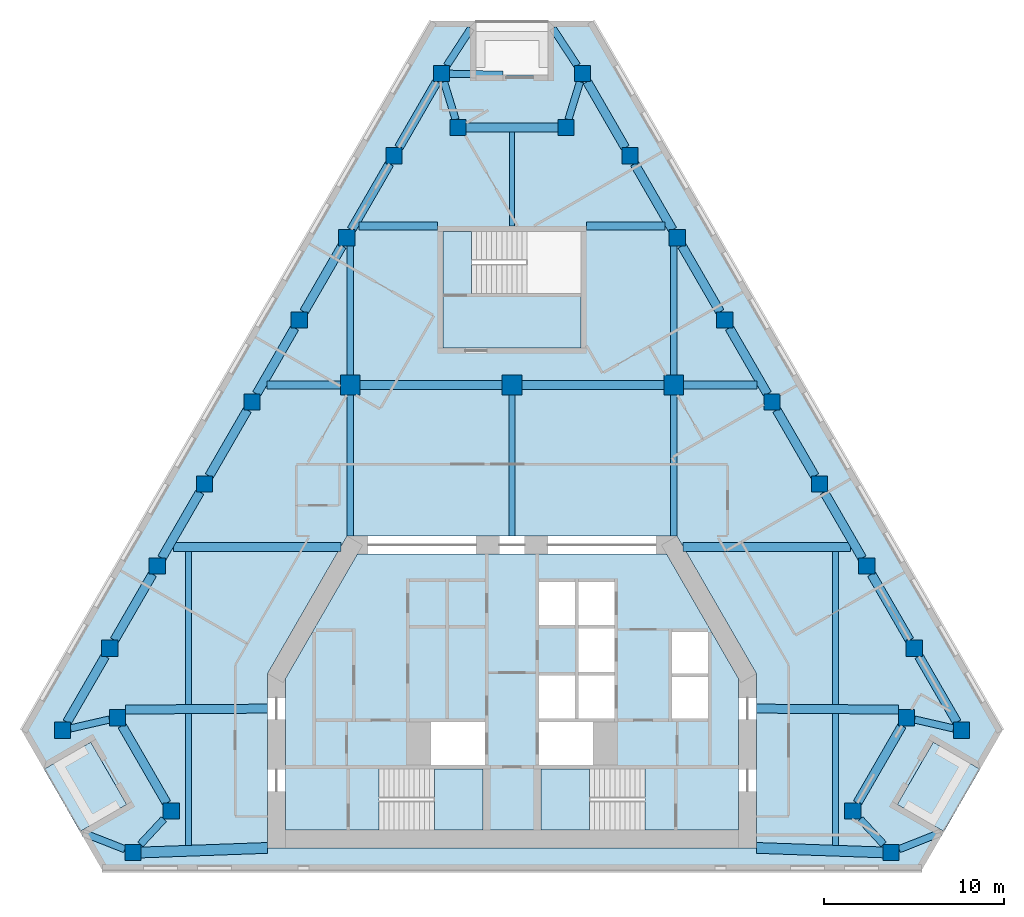
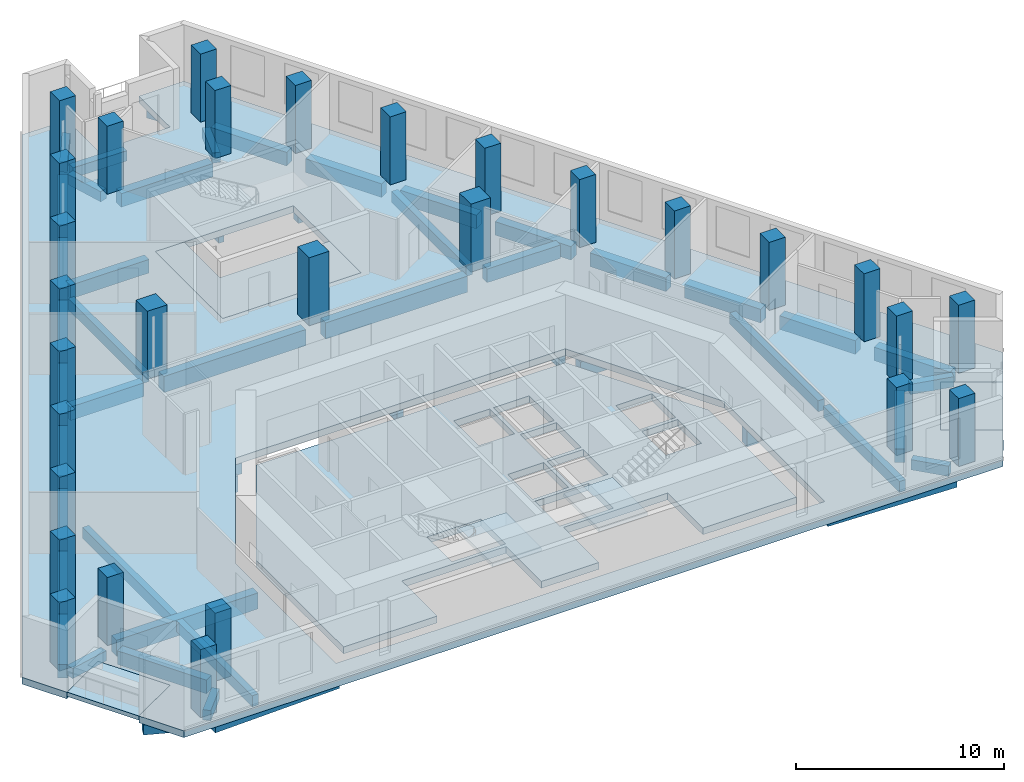
# One storey, part 1 of 9: 52 beams, 29 columns, 7 slabs, 2 elements without a shape of their own.
"""IFC4 building model written with IfcOpenShell, lengths in metres."""

import ifcopenshell
import ifcopenshell.guid

model = None  # the IFC model being written
_history = None  # IfcOwnerHistory: only IFC2X3 demands one
_inside = {}  # id of a spatial element -> (the spatial element, [elements in it])
_under = {}  # id of a project, library or spatial element -> (it, [spatial elements below it])
_declared = {}  # id of a project -> (the project, [libraries it declares])
_typed = {}  # id of a type object -> (the type object, [elements of that type])
_made_of = {}  # id of a material, layer set ... -> (it, [elements and type objects made of it])


def new_model(schema):
    """Start an empty IFC model of exactly this schema.

    Asked for "IFC4X3", IfcOpenShell would pick the latest addendum, in which some entities
    have other attributes; the version numbers below select the first issue.
    IFC2X3 requires an IfcOwnerHistory on every rooted entity: one is made here for all.
    """
    global model, _history
    if schema == "IFC4X3":
        model = ifcopenshell.file(schema_version=(4, 3, 0, 0))
    else:
        model = ifcopenshell.file(schema=schema)
    _inside.clear()
    _under.clear()
    _declared.clear()
    _typed.clear()
    _made_of.clear()
    _history = None
    if model.schema == "IFC2X3":
        org = make("IfcOrganization", Name="unknown")
        user = make(
            "IfcPersonAndOrganization",
            ThePerson=make("IfcPerson", FamilyName="unknown"),
            TheOrganization=org,
        )
        app = make(
            "IfcApplication",
            ApplicationDeveloper=org,
            Version="unknown",
            ApplicationFullName="unknown",
            ApplicationIdentifier="unknown",
        )
        _history = make(
            "IfcOwnerHistory",
            OwningUser=user,
            OwningApplication=app,
            ChangeAction="ADDED",
            CreationDate=0,
        )
    return model


def make(cls, **values):
    """One entity of the class cls with the attributes given. An attribute that is None is left unset."""
    return model.create_entity(
        cls, **{name: value for name, value in values.items() if value is not None}
    )


def rooted(cls, **values):
    """An entity with a GlobalId (a new one), such as an element, a storey or a relation."""
    return make(cls, GlobalId=ifcopenshell.guid.new(), OwnerHistory=_history, **values)


def si_unit(unit_type, name, prefix=None):
    """IfcSIUnit, for example si_unit("LENGTHUNIT", "METRE", prefix="MILLI")."""
    return make("IfcSIUnit", UnitType=unit_type, Prefix=prefix, Name=name)


def assignment(units):
    """IfcUnitAssignment: the units of a project."""
    return None if units is None else make("IfcUnitAssignment", Units=units)


def point(xyz):
    """IfcCartesianPoint."""
    return None if xyz is None else make("IfcCartesianPoint", Coordinates=xyz)


def direction(xyz):
    """IfcDirection."""
    return None if xyz is None else make("IfcDirection", DirectionRatios=xyz)


def frame(location, z_axis=None, x_axis=None):
    """IfcAxis2Placement3D, a coordinate frame: its origin and axes. An axis left out is left unset."""
    return make(
        "IfcAxis2Placement3D",
        Location=point(location),
        Axis=direction(z_axis),
        RefDirection=direction(x_axis),
    )


def frame_2d(location, x_axis=None):
    """IfcAxis2Placement2D, a coordinate frame in the plane: its origin and x axis."""
    return make(
        "IfcAxis2Placement2D", Location=point(location), RefDirection=direction(x_axis)
    )


def origin():
    """The frame at (0, 0, 0) with its axes left unset."""
    return frame((0.0, 0.0, 0.0))


def origin_2d():
    """The frame at (0, 0) in the plane with its x axis left unset."""
    return frame_2d((0.0, 0.0))


def place(relative_to, where):
    """IfcLocalPlacement: puts the frame where relative to a parent placement (None: the world)."""
    return make(
        "IfcLocalPlacement", PlacementRelTo=relative_to, RelativePlacement=where
    )


def context(
    kind, dimensions, precision=None, world=None, true_north=None, identifier=None
):
    """IfcGeometricRepresentationContext, for example the 3D "Model" context."""
    return make(
        "IfcGeometricRepresentationContext",
        ContextIdentifier=identifier,
        ContextType=kind,
        CoordinateSpaceDimension=dimensions,
        Precision=precision,
        WorldCoordinateSystem=world,
        TrueNorth=true_north,
    )


def subcontext(parent, identifier, kind, view, scale=None):
    """IfcGeometricRepresentationSubContext, for example "Body" below "Model"."""
    return make(
        "IfcGeometricRepresentationSubContext",
        ContextIdentifier=identifier,
        ContextType=kind,
        ParentContext=parent,
        TargetScale=scale,
        TargetView=view,
    )


def project(units=None, contexts=None):
    """IfcProject with its units and contexts."""
    return rooted(
        "IfcProject",
        Name="project",
        RepresentationContexts=contexts,
        UnitsInContext=assignment(units),
    )


def spatial(cls, under=None, at=None, **own):
    """A site, building, storey or space (cls), placed at a placement, below another one or the project."""
    s = rooted(cls, ObjectPlacement=at, **own)
    if under is not None:
        _under.setdefault(under.id(), (under, []))[1].append(s)
    return s


def polyline(points):
    """IfcPolyline through the points."""
    return make("IfcPolyline", Points=[point(p) for p in points])


def profile(cls, at=None, kind="AREA", **sizes):
    """A parametric profile (cls). Its sizes go by their IFC names, for example OverallWidth=200.0."""
    return make(cls, ProfileType=kind, Position=at, **sizes)


def rectangle(**sizes):
    """IfcRectangleProfileDef."""
    return profile("IfcRectangleProfileDef", **sizes)


def outline(outer, holes=None, kind="AREA"):
    """IfcArbitraryClosedProfileDef: a profile drawn as a closed curve; with holes, ...WithVoids."""
    if holes is None:
        return make("IfcArbitraryClosedProfileDef", ProfileType=kind, OuterCurve=outer)
    return make(
        "IfcArbitraryProfileDefWithVoids",
        ProfileType=kind,
        OuterCurve=outer,
        InnerCurves=holes,
    )


def extrude(swept, where, along, depth):
    """IfcExtrudedAreaSolid: the profile swept, set in the frame where, extruded along a direction by depth."""
    return make(
        "IfcExtrudedAreaSolid",
        SweptArea=swept,
        Position=where,
        ExtrudedDirection=direction(along),
        Depth=depth,
    )


def shape(context_of_items, identifier, shape_type, items):
    """IfcShapeRepresentation: the items that make up one representation, for example the "Body"."""
    return make(
        "IfcShapeRepresentation",
        ContextOfItems=context_of_items,
        RepresentationIdentifier=identifier,
        RepresentationType=shape_type,
        Items=items,
    )


def material(Name=None, Category=None):
    """IfcMaterial."""
    return make("IfcMaterial", Name=Name, Category=Category)


def layer(
    of_material, thickness, ventilated=None, Name=None, Category=None, Priority=None
):
    """IfcMaterialLayer: one layer of a wall or slab, of a material (None: an air gap)."""
    return make(
        "IfcMaterialLayer",
        Material=of_material,
        LayerThickness=thickness,
        IsVentilated=ventilated,
        Name=Name,
        Category=Category,
        Priority=Priority,
    )


def layer_set(layers, Name=None):
    """IfcMaterialLayerSet."""
    return make("IfcMaterialLayerSet", MaterialLayers=layers, LayerSetName=Name)


def material_profile(
    of_material, cross_section, Name=None, Category=None, Priority=None
):
    """IfcMaterialProfile: a cross section and its material."""
    return make(
        "IfcMaterialProfile",
        Name=Name,
        Material=of_material,
        Profile=cross_section,
        Priority=Priority,
        Category=Category,
    )


def profile_set(profiles, Name=None, composite=None):
    """IfcMaterialProfileSet."""
    return make(
        "IfcMaterialProfileSet",
        Name=Name,
        MaterialProfiles=profiles,
        CompositeProfile=composite,
    )


def made_of(thing, what):
    """Note that an element or type object is made of a material, layer set ...; save() writes the relation."""
    if what is not None:
        _made_of.setdefault(what.id(), (what, []))[1].append(thing)
    return thing


def type_object(cls, material=None, **own):
    """A type object (cls), such as IfcWallType, which elements share."""
    return made_of(rooted(cls, **own), material)


def element(
    cls,
    number,
    at=None,
    inside=None,
    cuts=None,
    type_object=None,
    material=None,
    context=None,
    identifier="Body",
    shape_type=None,
    held_by="IfcProductDefinitionShape",
    body=None,
    shapes=None,
    **own,
):
    """One element of the class cls, such as IfcWall. Its Tag is "e" and its number.

    at: its placement. inside: the storey or other place that contains it. cuts: it is an
    opening in that element (IfcRelVoidsElement). A single representation is given by context,
    identifier, shape_type and body (its items); several are given by shapes. held_by: the class
    of the entity that holds the representations. save() writes the other relations.
    """
    e = rooted(cls, Tag="e%d" % number, ObjectPlacement=at, **own)
    if body is not None:
        shapes = [shape(context, identifier, shape_type, body)]
    if shapes is not None:
        e.Representation = make(held_by, Representations=shapes)
    if inside is not None:
        _inside.setdefault(inside.id(), (inside, []))[1].append(e)
    if cuts is not None:
        rooted(
            "IfcRelVoidsElement", RelatingBuildingElement=cuts, RelatedOpeningElement=e
        )
    if type_object is not None:
        _typed.setdefault(type_object.id(), (type_object, []))[1].append(e)
    return made_of(e, material)


def aggregate(whole, parts):
    """IfcRelAggregates: a whole, such as a stair, and the parts it consists of."""
    return rooted("IfcRelAggregates", RelatingObject=whole, RelatedObjects=parts)


def save(model, path):
    """Write the relations noted so far, then the file.

    IfcRelAggregates (storeys below a building ...), IfcRelContainedInSpatialStructure (elements
    in a storey), IfcRelDefinesByType, IfcRelAssociatesMaterial and IfcRelDeclares: one each for
    every whole, place, type object, material and project.
    """
    for whole, parts in _under.values():
        aggregate(whole, parts)
    for where, things in _inside.values():
        rooted(
            "IfcRelContainedInSpatialStructure",
            RelatedElements=things,
            RelatingStructure=where,
        )
    for kind, things in _typed.values():
        rooted("IfcRelDefinesByType", RelatedObjects=things, RelatingType=kind)
    for what, things in _made_of.values():
        rooted("IfcRelAssociatesMaterial", RelatedObjects=things, RelatingMaterial=what)
    for by, libraries in _declared.values():
        rooted("IfcRelDeclares", RelatingContext=by, RelatedDefinitions=libraries)
    model.write(path)


model = new_model("IFC4")

# Units and contexts
model_context = context("Model", 3, precision=1e-05, world=origin(), true_north=direction((0.0, 1.0)))
body_context = subcontext(model_context, "Body", "Model", "MODEL_VIEW")
ifc_project = project(units=[si_unit("LENGTHUNIT", "METRE"), si_unit("AREAUNIT", "SQUARE_METRE"), si_unit("VOLUMEUNIT", "CUBIC_METRE"), si_unit("PLANEANGLEUNIT", "RADIAN"), si_unit("MASSUNIT", "GRAM", prefix="KILO")], contexts=[model_context])

# Site, building, storey
site_placement = place(None, origin())
site = spatial("IfcSite", under=ifc_project, at=site_placement, CompositionType="ELEMENT")
building_placement = place(site_placement, origin())
building = spatial("IfcBuilding", under=site, at=building_placement, Name="Fogline Exchange Tower", CompositionType="ELEMENT")
storey_placement = place(building_placement, frame((0.0, 0.0, 214.10009765625)))
storey = spatial("IfcBuildingStorey", under=building, at=storey_placement, Name="L48", CompositionType="ELEMENT", Elevation=214.10009765625)

# Columns
ifc_material_1 = material(Name="Concrete C60", Category="concrete")
ifc_material_profile_1 = material_profile(ifc_material_1, rectangle(XDim=1.10009765625, YDim=1.10009765625, at=origin_2d()), Name="RC 1100x1100")
ifc_profile_set_1 = profile_set([ifc_material_profile_1], Name="Concrete C60")
column_type_1 = type_object("IfcColumnType", Name="C05", PredefinedType="COLUMN", material=ifc_profile_set_1)
for number, where, z_axis, x_axis, name in (
    (1, (-9.0, 27.0, 0.0), (0.0, 0.0, 1.0), (1.0, 0.0, 0.0), "IC--9-27"),
    (2, (0.0, 27.0, 0.0), (0.0, 0.0, 1.0), (1.0, 0.0, 0.0), "IC-0-27"),
    (3, (9.0, 27.0, 0.0), (0.0, 0.0, 1.0), (1.0, 0.0, 0.0), "IC-9-27"),
):
    element("IfcColumn", number, at=place(storey_placement, frame(where, z_axis=z_axis, x_axis=x_axis)), inside=storey, type_object=column_type_1, Name=name, PredefinedType="COLUMN", context=body_context, shape_type="SweptSolid", body=[
        extrude(rectangle(XDim=1.10009765625, YDim=1.10009765625, at=origin_2d()), origin(), (0.0, 0.0, 1.0), 4.0),
    ])
ifc_material_profile_2 = material_profile(ifc_material_1, rectangle(XDim=0.89990234375, YDim=0.89990234375, at=origin_2d()), Name="RC 900x900")
ifc_profile_set_2 = profile_set([ifc_material_profile_2], Name="Concrete C60")
column_type_2 = type_object("IfcColumnType", Name="C06", PredefinedType="COLUMN", material=ifc_profile_set_2)
for number, where, z_axis, x_axis, name in (
    (4, (-25.0146484375, 7.794189453125, 0.0), (0.0, 0.0, 1.0), (1.0, 0.0, 0.0), "SW-a"),
    (5, (-21.955322265625, 8.4951171875, 0.0), (0.0, 0.0, 1.0), (1.0, 0.0, 0.0), "SW-p4"),
    (6, (-18.955322265625, 3.299072265625, 0.0), (0.0, 0.0, 1.0), (1.0, 0.0, 0.0), "SW-p3"),
    (7, (-21.092041015625, 1.0, 0.0), (0.0, 0.0, 1.0), (1.0, 0.0, 0.0), "SW-b"),
    (8, (21.092041015625, 1.0, 0.0), (0.0, 0.0, 1.0), (1.0, 0.0, 0.0), "SE-a"),
    (9, (18.955322265625, 3.299072265625, 0.0), (0.0, 0.0, 1.0), (1.0, 0.0, 0.0), "SE-p4"),
    (10, (21.955322265625, 8.4951171875, 0.0), (0.0, 0.0, 1.0), (1.0, 0.0, 0.0), "SE-p3"),
    (11, (25.0146484375, 7.794189453125, 0.0), (0.0, 0.0, 1.0), (1.0, 0.0, 0.0), "SE-b"),
    (12, (22.378173828125, 12.36083984375, 0.0), (0.0, 0.0, 1.0), (1.0, 0.0, 0.0), "E1"),
    (13, (19.74169921875, 16.92724609375, 0.0), (0.0, 0.0, 1.0), (1.0, 0.0, 0.0), "E2"),
    (14, (17.105224609375, 21.493896484375, 0.0), (0.0, 0.0, 1.0), (1.0, 0.0, 0.0), "E3"),
    (15, (14.46875, 26.060302734375, 0.0), (0.0, 0.0, 1.0), (1.0, 0.0, 0.0), "E4"),
    (16, (11.832275390625, 30.626953125, 0.0), (0.0, 0.0, 1.0), (1.0, 0.0, 0.0), "E5"),
    (17, (9.19580078125, 35.193603515625, 0.0), (0.0, 0.0, 1.0), (1.0, 0.0, 0.0), "E6"),
    (18, (6.55908203125, 39.760009765625, 0.0), (0.0, 0.0, 1.0), (1.0, 0.0, 0.0), "E7"),
    (19, (3.922607421875, 44.32666015625, 0.0), (0.0, 0.0, 1.0), (1.0, 0.0, 0.0), "N-a"),
    (20, (3.0, 41.32666015625, 0.0), (0.0, 0.0, 1.0), (1.0, 0.0, 0.0), "N-p4"),
    (21, (-3.0, 41.32666015625, 0.0), (0.0, 0.0, 1.0), (1.0, 0.0, 0.0), "N-p3"),
    (22, (-3.922607421875, 44.32666015625, 0.0), (0.0, 0.0, 1.0), (1.0, 0.0, 0.0), "N-b"),
    (23, (-6.55908203125, 39.760009765625, 0.0), (0.0, 0.0, 1.0), (1.0, 0.0, 0.0), "W1"),
    (24, (-9.19580078125, 35.193603515625, 0.0), (0.0, 0.0, 1.0), (1.0, 0.0, 0.0), "W2"),
    (25, (-11.832275390625, 30.626953125, 0.0), (0.0, 0.0, 1.0), (1.0, 0.0, 0.0), "W3"),
    (26, (-14.46875, 26.060302734375, 0.0), (0.0, 0.0, 1.0), (1.0, 0.0, 0.0), "W4"),
    (27, (-17.105224609375, 21.493896484375, 0.0), (0.0, 0.0, 1.0), (1.0, 0.0, 0.0), "W5"),
    (28, (-19.74169921875, 16.92724609375, 0.0), (0.0, 0.0, 1.0), (1.0, 0.0, 0.0), "W6"),
    (29, (-22.378173828125, 12.36083984375, 0.0), (0.0, 0.0, 1.0), (1.0, 0.0, 0.0), "W7"),
):
    element("IfcColumn", number, at=place(storey_placement, frame(where, z_axis=z_axis, x_axis=x_axis)), inside=storey, type_object=column_type_2, Name=name, PredefinedType="COLUMN", context=body_context, shape_type="SweptSolid", body=[
        extrude(rectangle(XDim=0.89990234375, YDim=0.89990234375, at=origin_2d()), origin(), (0.0, 0.0, 1.0), 4.0),
    ])

# Beams
ifc_material_2 = material(Name="Concrete C40", Category="concrete")
ifc_material_profile_3 = material_profile(ifc_material_2, rectangle(XDim=0.300048828125, YDim=0.60009765625, at=origin_2d()), Name="RC 300x600")
ifc_profile_set_3 = profile_set([ifc_material_profile_3], Name="Concrete C40")
beam_type_1 = type_object("IfcBeamType", Name="B06", PredefinedType="BEAM", material=ifc_profile_set_3)
beam_1_placement = place(storey_placement, frame((0.0, 35.85693359375, -0.7001953125), z_axis=(0.0, 1.0, 0.0), x_axis=(-1.0, 0.0, 0.0)))
element("IfcBeam", 30, at=beam_1_placement, inside=storey, type_object=beam_type_1, Name="SB006", PredefinedType="BEAM", context=body_context, shape_type="SweptSolid", body=[
    extrude(rectangle(XDim=0.300048828125, YDim=0.60009765625, at=origin_2d()), origin(), (0.0, 0.0, 1.0), 5.2197265625),
])
ifc_material_profile_4 = material_profile(ifc_material_2, rectangle(XDim=0.60009765625, YDim=0.89990234375, at=origin_2d()), Name="RC 600x900")
ifc_profile_set_4 = profile_set([ifc_material_profile_4], Name="Concrete C40")
beam_type_2 = type_object("IfcBeamType", Name="B09", PredefinedType="BEAM", material=ifc_profile_set_4)
beam_2_placement = place(storey_placement, frame((-20.64208984375, 0.99462890625, -0.85009765625), z_axis=(0.999343107492, 0.036240219472, 0.0), x_axis=(-0.036240219472, 0.999343107492, 0.0)))
element("IfcBeam", 31, at=beam_2_placement, inside=storey, type_object=beam_type_2, Name="RB004", PredefinedType="BEAM", context=body_context, shape_type="SweptSolid", body=[
    extrude(rectangle(XDim=0.60009765625, YDim=0.89990234375, at=origin_2d()), origin(), (0.0, 0.0, 1.0), 7.046630859375),
])
beam_3_placement = place(storey_placement, frame((13.60009765625, 1.25, -0.85009765625), z_axis=(0.99937042328, -0.035478966629, 0.0), x_axis=(0.035478966629, 0.99937042328, 0.0)))
element("IfcBeam", 32, at=beam_3_placement, inside=storey, type_object=beam_type_2, Name="RB005", PredefinedType="BEAM", context=body_context, shape_type="SweptSolid", body=[
    extrude(rectangle(XDim=0.60009765625, YDim=0.89990234375, at=origin_2d()), origin(), (0.0, 0.0, 1.0), 7.04638671875),
])
ifc_material_profile_5 = material_profile(ifc_material_2, rectangle(XDim=0.5, YDim=0.800048828125, at=origin_2d()), Name="RC 500x800")
ifc_profile_set_5 = profile_set([ifc_material_profile_5], Name="Concrete C40")
beam_type_3 = type_object("IfcBeamType", Name="B10", PredefinedType="BEAM", material=ifc_profile_set_5)
for number, where, z_axis, x_axis, name in (
    (33, (-21.6953125, 8.045166015625, -0.800048828125), (0.499976646485, -0.866038886523, 0.0), (0.866038886523, 0.499976646485, 0.0), "RB002"),
    (34, (19.215087890625, 3.7490234375, -0.800048828125), (0.499976646485, 0.866038886523, 0.0), (-0.866038886523, 0.499976646485, 0.0), "RB007"),
):
    element("IfcBeam", number, at=place(storey_placement, frame(where, z_axis=z_axis, x_axis=x_axis)), inside=storey, type_object=beam_type_3, Name=name, PredefinedType="BEAM", context=body_context, shape_type="SweptSolid", body=[
        extrude(rectangle(XDim=0.5, YDim=0.800048828125, at=origin_2d()), origin(), (0.0, 0.0, 1.0), 4.960693359375),
    ])
beam_4_placement = place(storey_placement, frame((24.7548828125, 8.244140625, -0.800048828125), z_axis=(-0.499990325971, 0.866030989016, 0.0), x_axis=(-0.866030989016, -0.499990325971, 0.0)))
element("IfcBeam", 35, at=beam_4_placement, inside=storey, type_object=beam_type_3, Name="RB009", PredefinedType="BEAM", context=body_context, shape_type="SweptSolid", body=[
    extrude(rectangle(XDim=0.5, YDim=0.800048828125, at=origin_2d()), origin(), (0.0, 0.0, 1.0), 4.23388671875),
])
beam_5_placement = place(storey_placement, frame((22.118408203125, 12.810791015625, -0.800048828125), z_axis=(-0.500015295222, 0.866016572904, 0.0), x_axis=(-0.866016572904, -0.500015295222, 0.0)))
element("IfcBeam", 36, at=beam_5_placement, inside=storey, type_object=beam_type_3, Name="RB010", PredefinedType="BEAM", context=body_context, shape_type="SweptSolid", body=[
    extrude(rectangle(XDim=0.5, YDim=0.800048828125, at=origin_2d()), origin(), (0.0, 0.0, 1.0), 4.233642578125),
])
beam_6_placement = place(storey_placement, frame((19.481689453125, 17.377197265625, -0.800048828125), z_axis=(-0.499947076772, 0.866055956868, 0.0), x_axis=(-0.866055956868, -0.499947076772, 0.0)))
element("IfcBeam", 37, at=beam_6_placement, inside=storey, type_object=beam_type_3, Name="RB011", PredefinedType="BEAM", context=body_context, shape_type="SweptSolid", body=[
    extrude(rectangle(XDim=0.5, YDim=0.800048828125, at=origin_2d()), origin(), (0.0, 0.0, 1.0), 4.23388671875),
])
for number, where, z_axis, x_axis, name in (
    (38, (16.84521484375, 21.94384765625, -0.800048828125), (-0.499972045304, 0.866041542834, 0.0), (-0.866041542834, -0.499972045304, 0.0), "RB012"),
    (39, (14.208740234375, 26.510498046875, -0.800048828125), (-0.499972045304, 0.866041542834, 0.0), (-0.866041542834, -0.499972045304, 0.0), "RB013"),
    (40, (11.572265625, 31.076904296875, -0.800048828125), (-0.499972045304, 0.866041542834, 0.0), (-0.866041542834, -0.499972045304, 0.0), "RB014"),
    (41, (8.935791015625, 35.6435546875, -0.800048828125), (-0.499972045304, 0.866041542834, 0.0), (-0.866041542834, -0.499972045304, 0.0), "RB015"),
    (42, (6.29931640625, 40.210205078125, -0.800048828125), (-0.499972045304, 0.866041542834, 0.0), (-0.866041542834, -0.499972045304, 0.0), "RB016"),
):
    element("IfcBeam", number, at=place(storey_placement, frame(where, z_axis=z_axis, x_axis=x_axis)), inside=storey, type_object=beam_type_3, Name=name, PredefinedType="BEAM", context=body_context, shape_type="SweptSolid", body=[
        extrude(rectangle(XDim=0.5, YDim=0.800048828125, at=origin_2d()), origin(), (0.0, 0.0, 1.0), 4.233642578125),
    ])
beam_7_placement = place(storey_placement, frame((2.550048828125, 41.32666015625, -0.800048828125), z_axis=(-1.0, 0.0, 0.0), x_axis=(0.0, -1.0, 0.0)))
element("IfcBeam", 43, at=beam_7_placement, inside=storey, type_object=beam_type_3, Name="RB018", PredefinedType="BEAM", context=body_context, shape_type="SweptSolid", body=[
    extrude(rectangle(XDim=0.5, YDim=0.800048828125, at=origin_2d()), origin(), (0.0, 0.0, 1.0), 5.10009765625),
])
for number, where, z_axis, x_axis, name in (
    (44, (-4.1826171875, 43.876708984375, -0.800048828125), (-0.499972045304, -0.866041542834, 0.0), (0.866041542834, -0.499972045304, 0.0), "RB020"),
    (45, (-6.819091796875, 39.31005859375, -0.800048828125), (-0.499972045304, -0.866041542834, 0.0), (0.866041542834, -0.499972045304, 0.0), "RB021"),
    (46, (-9.45556640625, 34.743408203125, -0.800048828125), (-0.499972045304, -0.866041542834, 0.0), (0.866041542834, -0.499972045304, 0.0), "RB022"),
    (47, (-12.092041015625, 30.177001953125, -0.800048828125), (-0.499972045304, -0.866041542834, 0.0), (0.866041542834, -0.499972045304, 0.0), "RB023"),
    (48, (-14.728515625, 25.6103515625, -0.800048828125), (-0.499972045304, -0.866041542834, 0.0), (0.866041542834, -0.499972045304, 0.0), "RB024"),
):
    element("IfcBeam", number, at=place(storey_placement, frame(where, z_axis=z_axis, x_axis=x_axis)), inside=storey, type_object=beam_type_3, Name=name, PredefinedType="BEAM", context=body_context, shape_type="SweptSolid", body=[
        extrude(rectangle(XDim=0.5, YDim=0.800048828125, at=origin_2d()), origin(), (0.0, 0.0, 1.0), 4.233642578125),
    ])
beam_8_placement = place(storey_placement, frame((-17.364990234375, 21.0439453125, -0.800048828125), z_axis=(-0.499947076772, -0.866055956868, 0.0), x_axis=(0.866055956868, -0.499947076772, 0.0)))
element("IfcBeam", 49, at=beam_8_placement, inside=storey, type_object=beam_type_3, Name="RB025", PredefinedType="BEAM", context=body_context, shape_type="SweptSolid", body=[
    extrude(rectangle(XDim=0.5, YDim=0.800048828125, at=origin_2d()), origin(), (0.0, 0.0, 1.0), 4.23388671875),
])
beam_9_placement = place(storey_placement, frame((-20.00146484375, 16.477294921875, -0.800048828125), z_axis=(-0.500015295222, -0.866016572904, 0.0), x_axis=(0.866016572904, -0.500015295222, 0.0)))
element("IfcBeam", 50, at=beam_9_placement, inside=storey, type_object=beam_type_3, Name="RB026", PredefinedType="BEAM", context=body_context, shape_type="SweptSolid", body=[
    extrude(rectangle(XDim=0.5, YDim=0.800048828125, at=origin_2d()), origin(), (0.0, 0.0, 1.0), 4.233642578125),
])
beam_10_placement = place(storey_placement, frame((-22.637939453125, 11.910888671875, -0.800048828125), z_axis=(-0.499990325971, -0.866030989016, 0.0), x_axis=(0.866030989016, -0.499990325971, 0.0)))
element("IfcBeam", 51, at=beam_10_placement, inside=storey, type_object=beam_type_3, Name="RB027", PredefinedType="BEAM", context=body_context, shape_type="SweptSolid", body=[
    extrude(rectangle(XDim=0.5, YDim=0.800048828125, at=origin_2d()), origin(), (0.0, 0.0, 1.0), 4.23388671875),
])
ifc_material_profile_6 = material_profile(ifc_material_2, rectangle(XDim=0.39990234375, YDim=0.60009765625, at=origin_2d()), Name="RC 400x600")
ifc_profile_set_6 = profile_set([ifc_material_profile_6], Name="Concrete C40")
beam_type_4 = type_object("IfcBeamType", Name="B11", PredefinedType="BEAM", material=ifc_profile_set_6)
beam_11_placement = place(storey_placement, frame((-24.564697265625, 7.897216796875, -0.7001953125), z_axis=(0.974731818643, 0.223378337636, 0.0), x_axis=(-0.223378337636, 0.974731818643, 0.0)))
element("IfcBeam", 52, at=beam_11_placement, inside=storey, type_object=beam_type_4, Name="RB001", PredefinedType="BEAM", context=body_context, shape_type="SweptSolid", body=[
    extrude(rectangle(XDim=0.39990234375, YDim=0.60009765625, at=origin_2d()), origin(), (0.0, 0.0, 1.0), 2.21533203125),
])
for number, where, z_axis, x_axis, name in (
    (53, (-19.37353515625, 2.84912109375, -0.7001953125), (-0.68075009804, -0.732515736362, 0.0), (0.732515736362, -0.68075009804, 0.0), "RB003"),
    (54, (20.673828125, 1.449951171875, -0.7001953125), (-0.68075009804, 0.732515736362, 0.0), (-0.732515736362, -0.68075009804, 0.0), "RB006"),
):
    element("IfcBeam", number, at=place(storey_placement, frame(where, z_axis=z_axis, x_axis=x_axis)), inside=storey, type_object=beam_type_4, Name=name, PredefinedType="BEAM", context=body_context, shape_type="SweptSolid", body=[
        extrude(rectangle(XDim=0.39990234375, YDim=0.60009765625, at=origin_2d()), origin(), (0.0, 0.0, 1.0), 1.91015625),
    ])
beam_12_placement = place(storey_placement, frame((22.4052734375, 8.39208984375, -0.7001953125), z_axis=(0.974731818643, -0.223378337636, 0.0), x_axis=(0.223378337636, 0.974731818643, 0.0)))
element("IfcBeam", 55, at=beam_12_placement, inside=storey, type_object=beam_type_4, Name="RB008", PredefinedType="BEAM", context=body_context, shape_type="SweptSolid", body=[
    extrude(rectangle(XDim=0.39990234375, YDim=0.60009765625, at=origin_2d()), origin(), (0.0, 0.0, 1.0), 2.21533203125),
])
for number, where, z_axis, x_axis, name in (
    (56, (3.7841796875, 43.876708984375, -0.7001953125), (-0.293906253456, -0.95583425037, 0.0), (0.95583425037, -0.293906253456, 0.0), "RB017"),
    (57, (-3.138427734375, 41.776611328125, -0.7001953125), (-0.293906253456, 0.95583425037, 0.0), (-0.95583425037, -0.293906253456, 0.0), "RB019"),
):
    element("IfcBeam", number, at=place(storey_placement, frame(where, z_axis=z_axis, x_axis=x_axis)), inside=storey, type_object=beam_type_4, Name=name, PredefinedType="BEAM", context=body_context, shape_type="SweptSolid", body=[
        extrude(rectangle(XDim=0.39990234375, YDim=0.60009765625, at=origin_2d()), origin(), (0.0, 0.0, 1.0), 2.197021484375),
    ])
beam_13_placement = place(storey_placement, frame((3.627685546875, 44.776611328125, -0.7001953125), z_axis=(-0.548384177003, 0.836226520993, 0.0), x_axis=(-0.836226520993, -0.548384177003, 0.0)))
element("IfcBeam", 58, at=beam_13_placement, inside=storey, type_object=beam_type_4, Name="SP028", PredefinedType="BEAM", context=body_context, shape_type="SweptSolid", body=[
    extrude(rectangle(XDim=0.39990234375, YDim=0.60009765625, at=origin_2d()), origin(), (0.0, 0.0, 1.0), 2.46826171875),
])
beam_14_placement = place(storey_placement, frame((-3.630126953125, 44.776611328125, -0.7001953125), z_axis=(0.544943067499, 0.838473048574, 0.0), x_axis=(-0.838473048574, 0.544943067499, 0.0)))
element("IfcBeam", 59, at=beam_14_placement, inside=storey, type_object=beam_type_4, Name="SP029", PredefinedType="BEAM", context=body_context, shape_type="SweptSolid", body=[
    extrude(rectangle(XDim=0.39990234375, YDim=0.60009765625, at=origin_2d()), origin(), (0.0, 0.0, 1.0), 2.463623046875),
])
beam_15_placement = place(storey_placement, frame((21.5419921875, 1.178466796875, -0.7001953125), z_axis=(0.929590674995, 0.368593511829, 0.0), x_axis=(-0.368593511829, 0.929590674995, 0.0)))
element("IfcBeam", 60, at=beam_15_placement, inside=storey, type_object=beam_type_4, Name="SP030", PredefinedType="BEAM", context=body_context, shape_type="SweptSolid", body=[
    extrude(rectangle(XDim=0.39990234375, YDim=0.60009765625, at=origin_2d()), origin(), (0.0, 0.0, 1.0), 2.484619140625),
])
beam_16_placement = place(storey_placement, frame((-21.5419921875, 1.176513671875, -0.7001953125), z_axis=(-0.930953625258, 0.365137436616, 0.0), x_axis=(-0.365137436616, -0.930953625258, 0.0)))
element("IfcBeam", 61, at=beam_16_placement, inside=storey, type_object=beam_type_4, Name="SP031", PredefinedType="BEAM", context=body_context, shape_type="SweptSolid", body=[
    extrude(rectangle(XDim=0.39990234375, YDim=0.60009765625, at=origin_2d()), origin(), (0.0, 0.0, 1.0), 2.493896484375),
])
beam_17_placement = place(storey_placement, frame((-3.47265625, 44.319091796875, -0.7001953125), z_axis=(0.999862941175, -0.016555931393, 0.0), x_axis=(0.016555931393, 0.999862941175, 0.0)))
element("IfcBeam", 62, at=beam_17_placement, inside=storey, type_object=beam_type_4, Name="SP032", PredefinedType="BEAM", context=body_context, shape_type="SweptSolid", body=[
    extrude(rectangle(XDim=0.39990234375, YDim=0.60009765625, at=origin_2d()), origin(), (0.0, 0.0, 1.0), 2.964111328125),
])
ifc_material_profile_7 = material_profile(ifc_material_2, rectangle(XDim=0.5, YDim=0.949951171875, at=origin_2d()), Name="RC 500x950")
ifc_profile_set_7 = profile_set([ifc_material_profile_7], Name="Concrete C40")
beam_type_5 = type_object("IfcBeamType", Name="B14", PredefinedType="BEAM", material=ifc_profile_set_7)
for number, where, z_axis, x_axis, name in (
    (63, (-21.50537109375, 8.9453125, -0.875), (0.999976072531, 0.006917684998, 0.0), (-0.006917684998, 0.999976072531, 0.0), "GB001"),
    (64, (13.60009765625, 9.0, -0.875), (0.999976072531, -0.006917684998, 0.0), (0.006917684998, 0.999976072531, 0.0), "GB002"),
):
    element("IfcBeam", number, at=place(storey_placement, frame(where, z_axis=z_axis, x_axis=x_axis)), inside=storey, type_object=beam_type_5, Name=name, PredefinedType="BEAM", context=body_context, shape_type="SweptSolid", body=[
        extrude(rectangle(XDim=0.5, YDim=0.949951171875, at=origin_2d()), origin(), (0.0, 0.0, 1.0), 7.905517578125),
    ])
for number, where, z_axis, x_axis, name in (
    (65, (-18.833740234375, 18.0, -0.875), (1.0, 0.0, 0.0), (0.0, 1.0, 0.0), "GB003"),
    (66, (9.527099609375, 18.0, -0.875), (1.0, 0.0, 0.0), (0.0, 1.0, 0.0), "GB004"),
):
    element("IfcBeam", number, at=place(storey_placement, frame(where, z_axis=z_axis, x_axis=x_axis)), inside=storey, type_object=beam_type_5, Name=name, PredefinedType="BEAM", context=body_context, shape_type="SweptSolid", body=[
        extrude(rectangle(XDim=0.5, YDim=0.949951171875, at=origin_2d()), origin(), (0.0, 0.0, 1.0), 9.306640625),
    ])
for number, where, z_axis, x_axis, name in (
    (67, (-8.449951171875, 27.0, -0.875), (1.0, 0.0, 0.0), (0.0, 1.0, 0.0), "GB006"),
    (68, (0.550048828125, 27.0, -0.875), (1.0, 0.0, 0.0), (0.0, 1.0, 0.0), "GB007"),
):
    element("IfcBeam", number, at=place(storey_placement, frame(where, z_axis=z_axis, x_axis=x_axis)), inside=storey, type_object=beam_type_5, Name=name, PredefinedType="BEAM", context=body_context, shape_type="SweptSolid", body=[
        extrude(rectangle(XDim=0.5, YDim=0.949951171875, at=origin_2d()), origin(), (0.0, 0.0, 1.0), 7.89990234375),
    ])
ifc_material_profile_8 = material_profile(ifc_material_2, rectangle(XDim=0.35009765625, YDim=0.64990234375, at=origin_2d()), Name="RC 350x650")
ifc_profile_set_8 = profile_set([ifc_material_profile_8], Name="Concrete C40")
beam_type_6 = type_object("IfcBeamType", Name="B16", PredefinedType="BEAM", material=ifc_profile_set_8)
beam_18_placement = place(storey_placement, frame((-18.0, 1.390625, -0.72509765625), z_axis=(0.0, 1.0, 0.0), x_axis=(-1.0, 0.0, 0.0)))
element("IfcBeam", 69, at=beam_18_placement, inside=storey, type_object=beam_type_6, Name="SB001", PredefinedType="BEAM", context=body_context, shape_type="SweptSolid", body=[
    extrude(rectangle(XDim=0.35009765625, YDim=0.64990234375, at=origin_2d()), origin(), (0.0, 0.0, 1.0), 7.328857421875),
])
beam_19_placement = place(storey_placement, frame((-18.0, 9.219482421875, -0.72509765625), z_axis=(0.0, 1.0, 0.0), x_axis=(-1.0, 0.0, 0.0)))
element("IfcBeam", 70, at=beam_19_placement, inside=storey, type_object=beam_type_6, Name="SB002", PredefinedType="BEAM", context=body_context, shape_type="SweptSolid", body=[
    extrude(rectangle(XDim=0.35009765625, YDim=0.64990234375, at=origin_2d()), origin(), (0.0, 0.0, 1.0), 8.530517578125),
])
beam_20_placement = place(storey_placement, frame((-9.0, 18.60009765625, -0.72509765625), z_axis=(0.0, 1.0, 0.0), x_axis=(-1.0, 0.0, 0.0)))
element("IfcBeam", 71, at=beam_20_placement, inside=storey, type_object=beam_type_6, Name="SB003", PredefinedType="BEAM", context=body_context, shape_type="SweptSolid", body=[
    extrude(rectangle(XDim=0.35009765625, YDim=0.64990234375, at=origin_2d()), origin(), (0.0, 0.0, 1.0), 7.849853515625),
])
beam_21_placement = place(storey_placement, frame((-9.0, 27.550048828125, -0.72509765625), z_axis=(0.0, 1.0, 0.0), x_axis=(-1.0, 0.0, 0.0)))
element("IfcBeam", 72, at=beam_21_placement, inside=storey, type_object=beam_type_6, Name="SB004", PredefinedType="BEAM", context=body_context, shape_type="SweptSolid", body=[
    extrude(rectangle(XDim=0.35009765625, YDim=0.64990234375, at=origin_2d()), origin(), (0.0, 0.0, 1.0), 7.193359375),
])
for number, where, z_axis, x_axis, name in (
    (73, (0.0, 18.60009765625, -0.72509765625), (0.0, 1.0, 0.0), (-1.0, 0.0, 0.0), "SB005"),
    (74, (9.0, 18.60009765625, -0.72509765625), (0.0, 1.0, 0.0), (-1.0, 0.0, 0.0), "SB007"),
):
    element("IfcBeam", number, at=place(storey_placement, frame(where, z_axis=z_axis, x_axis=x_axis)), inside=storey, type_object=beam_type_6, Name=name, PredefinedType="BEAM", context=body_context, shape_type="SweptSolid", body=[
        extrude(rectangle(XDim=0.35009765625, YDim=0.64990234375, at=origin_2d()), origin(), (0.0, 0.0, 1.0), 7.849853515625),
    ])
beam_22_placement = place(storey_placement, frame((9.0, 27.550048828125, -0.72509765625), z_axis=(0.0, 1.0, 0.0), x_axis=(-1.0, 0.0, 0.0)))
element("IfcBeam", 75, at=beam_22_placement, inside=storey, type_object=beam_type_6, Name="SB008", PredefinedType="BEAM", context=body_context, shape_type="SweptSolid", body=[
    extrude(rectangle(XDim=0.35009765625, YDim=0.64990234375, at=origin_2d()), origin(), (0.0, 0.0, 1.0), 7.193359375),
])
beam_23_placement = place(storey_placement, frame((18.0, 1.39404296875, -0.72509765625), z_axis=(0.0, 1.0, 0.0), x_axis=(-1.0, 0.0, 0.0)))
element("IfcBeam", 76, at=beam_23_placement, inside=storey, type_object=beam_type_6, Name="SB009", PredefinedType="BEAM", context=body_context, shape_type="SweptSolid", body=[
    extrude(rectangle(XDim=0.35009765625, YDim=0.64990234375, at=origin_2d()), origin(), (0.0, 0.0, 1.0), 7.325439453125),
])
beam_24_placement = place(storey_placement, frame((18.0, 9.219482421875, -0.72509765625), z_axis=(0.0, 1.0, 0.0), x_axis=(-1.0, 0.0, 0.0)))
element("IfcBeam", 77, at=beam_24_placement, inside=storey, type_object=beam_type_6, Name="SB010", PredefinedType="BEAM", context=body_context, shape_type="SweptSolid", body=[
    extrude(rectangle(XDim=0.35009765625, YDim=0.64990234375, at=origin_2d()), origin(), (0.0, 0.0, 1.0), 8.530517578125),
])
ifc_material_profile_9 = material_profile(ifc_material_2, rectangle(XDim=0.449951171875, YDim=0.800048828125, at=origin_2d()), Name="RC 450x800")
ifc_profile_set_9 = profile_set([ifc_material_profile_9], Name="Concrete C40")
beam_type_7 = type_object("IfcBeamType", Name="B18", PredefinedType="BEAM", material=ifc_profile_set_9)
for number, where, z_axis, x_axis, name in (
    (78, (-13.637451171875, 27.0, -0.800048828125), (1.0, 0.0, 0.0), (0.0, 1.0, 0.0), "GB005"),
    (79, (9.550048828125, 27.0, -0.800048828125), (1.0, 0.0, 0.0), (0.0, 1.0, 0.0), "GB008"),
):
    element("IfcBeam", number, at=place(storey_placement, frame(where, z_axis=z_axis, x_axis=x_axis)), inside=storey, type_object=beam_type_7, Name=name, PredefinedType="BEAM", context=body_context, shape_type="SweptSolid", body=[
        extrude(rectangle(XDim=0.449951171875, YDim=0.800048828125, at=origin_2d()), origin(), (0.0, 0.0, 1.0), 4.08740234375),
    ])
for number, where, z_axis, x_axis, name in (
    (80, (-8.52392578125, 35.85693359375, -0.800048828125), (1.0, 0.0, 0.0), (0.0, 1.0, 0.0), "GB009"),
    (81, (4.14990234375, 35.85693359375, -0.800048828125), (1.0, 0.0, 0.0), (0.0, 1.0, 0.0), "GB010"),
):
    element("IfcBeam", number, at=place(storey_placement, frame(where, z_axis=z_axis, x_axis=x_axis)), inside=storey, type_object=beam_type_7, Name=name, PredefinedType="BEAM", context=body_context, shape_type="SweptSolid", body=[
        extrude(rectangle(XDim=0.449951171875, YDim=0.800048828125, at=origin_2d()), origin(), (0.0, 0.0, 1.0), 4.3740234375),
    ])

# Slabs
ifc_layer_1 = layer(ifc_material_2, 0.25)
ifc_layer_set_1 = layer_set([ifc_layer_1], Name="DK1")
slab_type_1 = type_object("IfcSlabType", Name="DK1", PredefinedType="FLOOR", material=ifc_layer_set_1)
slab_1_placement = place(storey_placement, frame((0.0, 0.0, -0.25)))
element("IfcSlab", 82, at=slab_1_placement, inside=storey, type_object=slab_type_1, Name="Balcony L48 SW", PredefinedType="FLOOR", context=body_context, shape_type="SweptSolid", body=[
    extrude(outline(polyline([(-26.03662109375, 5.629150390625), (-24.03662109375, 2.1650390625), (-21.4384765625, 3.6650390625), (-23.4384765625, 7.129150390625), (-26.03662109375, 5.629150390625)])), origin(), (0.0, 0.0, 1.0), 0.25),
])
slab_2_placement = place(storey_placement, frame((0.0, 0.0, -0.25)))
element("IfcSlab", 83, at=slab_2_placement, inside=storey, type_object=slab_type_1, Name="Balcony L48 SE", PredefinedType="FLOOR", context=body_context, shape_type="SweptSolid", body=[
    extrude(outline(polyline([(24.03662109375, 2.1650390625), (26.03662109375, 5.629150390625), (23.4384765625, 7.129150390625), (21.4384765625, 3.6650390625), (24.03662109375, 2.1650390625)])), origin(), (0.0, 0.0, 1.0), 0.25),
])
ifc_layer_2 = layer(ifc_material_2, 0.39990234375)
ifc_layer_set_2 = layer_set([ifc_layer_2], Name="S03")
slab_type_2 = type_object("IfcSlabType", Name="S03", PredefinedType="FLOOR", material=ifc_layer_set_2)
slab_3_placement = place(storey_placement, frame((0.0, 0.0, -0.400146484375)))
element("IfcSlab", 84, at=slab_3_placement, inside=storey, type_object=slab_type_2, Name="SLAB L48", PredefinedType="FLOOR", context=body_context, shape_type="SweptSolid", body=[
    extrude(outline(polyline([(-2.0, 47.26171875), (-4.5, 47.26171875), (-27.28662109375, 7.794189453125), (-26.03662109375, 5.629150390625), (-23.4384765625, 7.129150390625), (-21.4384765625, 3.6650390625), (-24.03662109375, 2.1650390625), (-22.78662109375, 0.0), (22.78662109375, 0.0), (24.03662109375, 2.1650390625), (21.4384765625, 3.6650390625), (23.4384765625, 7.129150390625), (26.03662109375, 5.629150390625), (27.28662109375, 7.794189453125), (4.5, 47.26171875), (2.0, 47.26171875), (2.0, 44.26171875), (-2.0, 44.26171875), (-2.0, 47.26171875)]), holes=[polyline([(13.60009765625, 10.9453125), (13.60009765625, 1.25), (-13.60009765625, 1.25), (-13.60009765625, 10.9453125), (-9.1806640625, 18.60009765625), (9.1806640625, 18.60009765625), (13.60009765625, 10.9453125)]), polyline([(3.85009765625, 35.556884765625), (3.85009765625, 29.056884765625), (-3.85009765625, 29.056884765625), (-3.85009765625, 35.556884765625), (3.85009765625, 35.556884765625)])]), origin(), (0.0, 0.0, 1.0), 0.400146484375),
])
slab_4_placement = place(storey_placement, frame((0.0, 0.0, -0.400146484375)))
element("IfcSlab", 85, at=slab_4_placement, inside=storey, type_object=slab_type_2, Name="Core floor slab", PredefinedType="FLOOR", context=body_context, shape_type="SweptSolid", body=[
    extrude(outline(polyline([(-12.60009765625, 2.25), (-12.60009765625, 10.677490234375), (-8.603271484375, 17.60009765625), (8.603271484375, 17.60009765625), (12.60009765625, 10.677490234375), (12.60009765625, 2.25), (7.389892578125, 2.25), (7.389892578125, 5.64990234375), (1.60009765625, 5.64990234375), (1.60009765625, 2.25), (-1.60009765625, 2.25), (-1.60009765625, 5.64990234375), (-7.389892578125, 5.64990234375), (-7.389892578125, 2.25), (-12.60009765625, 2.25)]), holes=[polyline([(-4.5, 8.25), (-4.5, 5.85009765625), (-1.5, 5.85009765625), (-1.5, 8.25), (-4.5, 8.25)]), polyline([(4.5, 8.25), (1.5, 8.25), (1.5, 5.85009765625), (4.5, 5.85009765625), (4.5, 8.25)]), polyline([(3.5, 10.85009765625), (1.5, 10.85009765625), (1.5, 8.449951171875), (3.5, 8.449951171875), (3.5, 10.85009765625)]), polyline([(1.5, 16.050048828125), (1.5, 13.64990234375), (3.5, 13.64990234375), (3.5, 16.050048828125), (1.5, 16.050048828125)]), polyline([(10.89990234375, 10.75), (8.89990234375, 10.75), (8.89990234375, 8.449951171875), (10.89990234375, 8.449951171875), (10.89990234375, 10.75)]), polyline([(5.699951171875, 10.85009765625), (3.699951171875, 10.85009765625), (3.699951171875, 8.449951171875), (5.699951171875, 8.449951171875), (5.699951171875, 10.85009765625)]), polyline([(8.89990234375, 13.25), (8.89990234375, 10.949951171875), (10.89990234375, 10.949951171875), (10.89990234375, 13.25), (8.89990234375, 13.25)]), polyline([(5.699951171875, 13.449951171875), (3.699951171875, 13.449951171875), (3.699951171875, 11.050048828125), (5.699951171875, 11.050048828125), (5.699951171875, 13.449951171875)]), polyline([(5.699951171875, 16.050048828125), (3.699951171875, 16.050048828125), (3.699951171875, 13.64990234375), (5.699951171875, 13.64990234375), (5.699951171875, 16.050048828125)])]), origin(), (0.0, 0.0, 1.0), 0.400146484375),
])
slab_5_placement = place(storey_placement, frame((0.0, 0.0, -0.400146484375)))
element("IfcSlab", 86, at=slab_5_placement, inside=storey, type_object=slab_type_2, Name="Stair enclosure floor slab", PredefinedType="FLOOR", context=body_context, shape_type="SweptSolid", body=[
    extrude(outline(polyline([(3.85009765625, 29.056884765625), (-3.85009765625, 29.056884765625), (-3.85009765625, 35.556884765625), (-2.239990234375, 35.556884765625), (-2.239990234375, 32.10693359375), (3.85009765625, 32.10693359375), (3.85009765625, 29.056884765625)])), origin(), (0.0, 0.0, 1.0), 0.400146484375),
])

# Stair, slab
stair_type = type_object("IfcStairType", Name="STR24-1667", PredefinedType="HALF_TURN_STAIR", material=ifc_material_2)
stair_1_placement = place(storey_placement, origin())
stair_1 = element("IfcStair", 87, at=stair_1_placement, inside=storey, type_object=stair_type, Name="Stair ST1", PredefinedType="HALF_TURN_STAIR")
ifc_layer_3 = layer(ifc_material_2, 0.199951171875)
ifc_layer_set_3 = layer_set([ifc_layer_3], Name="SL200")
slab_type_3 = type_object("IfcSlabType", Name="SL200", PredefinedType="LANDING", material=ifc_layer_set_3)
slab_6_placement = place(storey_placement, frame((0.0, 0.0, 1.7998046875)))
slab_6 = element("IfcSlab", 88, at=slab_6_placement, type_object=slab_type_3, Name="ST1 landing 1", PredefinedType="LANDING", context=body_context, shape_type="SweptSolid", body=[
    extrude(outline(polyline([(-4.320068359375, 2.25), (-1.60009765625, 2.25), (-1.60009765625, 5.64990234375), (-4.320068359375, 5.64990234375), (-4.320068359375, 2.25)])), origin(), (0.0, 0.0, 1.0), 0.2001953125),
])
aggregate(stair_1, [slab_6])

stair_2_placement = place(storey_placement, origin())
stair_2 = element("IfcStair", 89, at=stair_2_placement, inside=storey, type_object=stair_type, Name="Stair ST2", PredefinedType="HALF_TURN_STAIR")
slab_7_placement = place(storey_placement, frame((0.0, 0.0, 1.7998046875)))
slab_7 = element("IfcSlab", 90, at=slab_7_placement, type_object=slab_type_3, Name="ST2 landing 1", PredefinedType="LANDING", context=body_context, shape_type="SweptSolid", body=[
    extrude(outline(polyline([(1.60009765625, 2.25), (4.320068359375, 2.25), (4.320068359375, 5.64990234375), (1.60009765625, 5.64990234375), (1.60009765625, 2.25)])), origin(), (0.0, 0.0, 1.0), 0.2001953125),
])
aggregate(stair_2, [slab_7])

save(model, "model.ifc")
